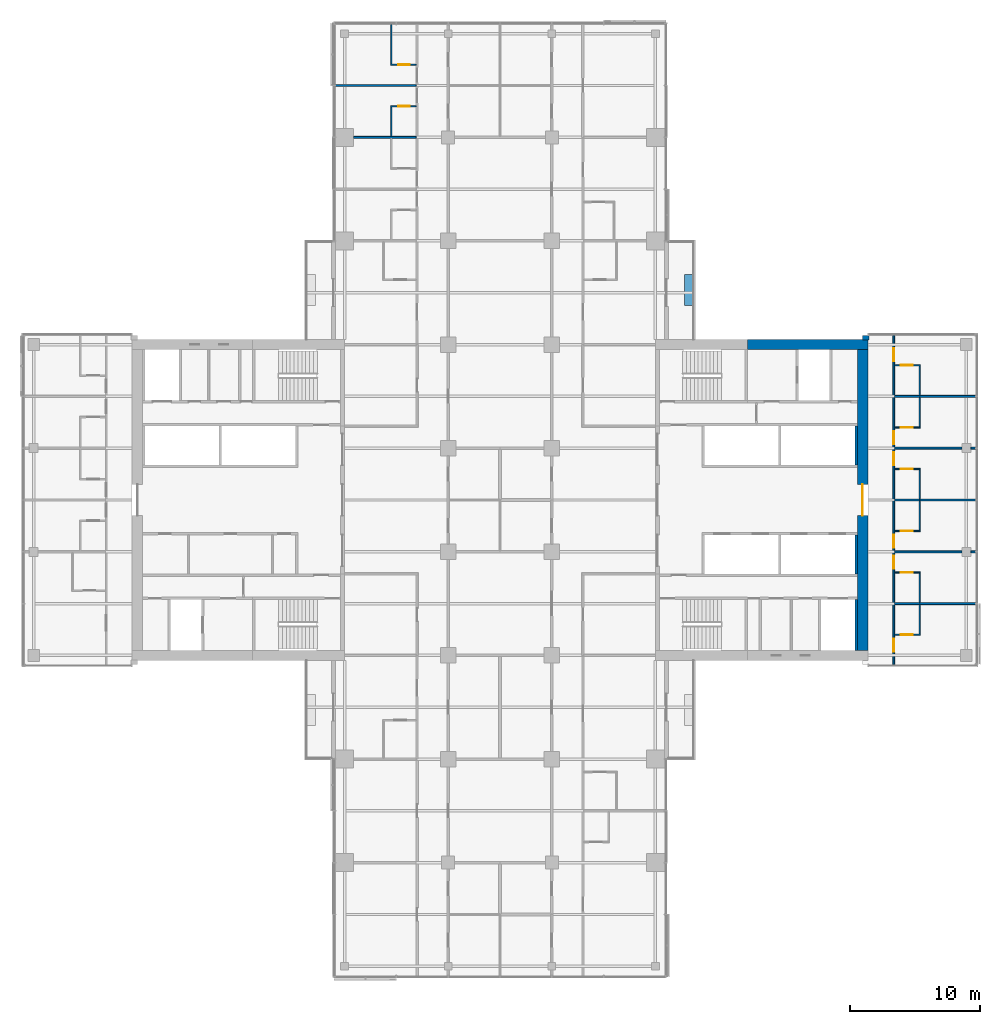
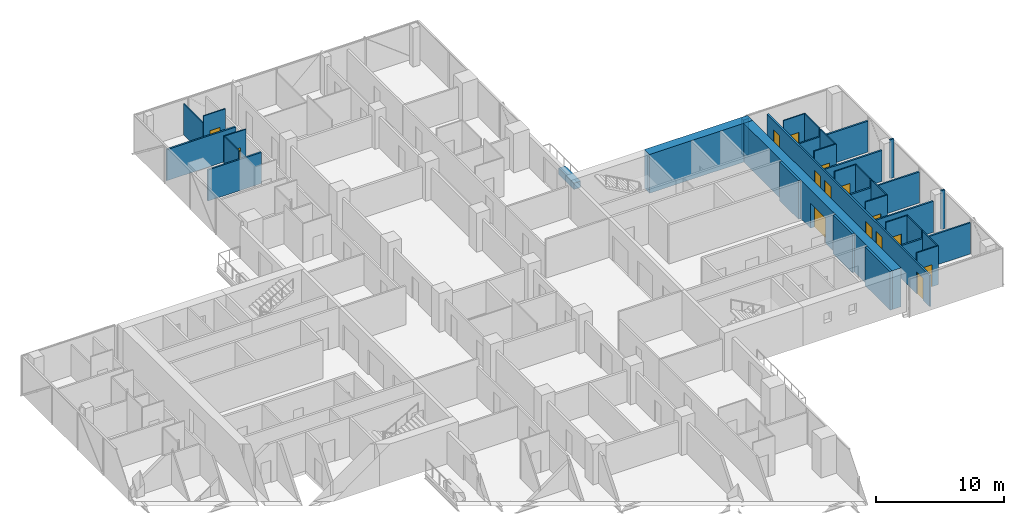
# One storey, part 21 of 27: 33 walls, 15 doors, 15 openings.
"""IFC4 building model written with IfcOpenShell, lengths in metres."""

from ifc_helpers import new_model, si_unit, direction, frame, frame_2d, origin, place, context, subcontext, project, spatial, rectangle, extrude, material, layer, layer_set, constituent, constituent_set, type_object, element, fill, save


model = new_model("IFC4")

# Units and contexts
model_context = context("Model", 3, precision=1e-05, world=origin(), true_north=direction((0.0, 1.0)))
body_context = subcontext(model_context, "Body", "Model", "MODEL_VIEW")
ifc_project = project(units=[si_unit("LENGTHUNIT", "METRE"), si_unit("AREAUNIT", "SQUARE_METRE"), si_unit("VOLUMEUNIT", "CUBIC_METRE"), si_unit("PLANEANGLEUNIT", "RADIAN"), si_unit("MASSUNIT", "GRAM", prefix="KILO")], contexts=[model_context])

# Site, building, storey
site_placement = place(None, origin())
site = spatial("IfcSite", under=ifc_project, at=site_placement, CompositionType="ELEMENT")
building_placement = place(site_placement, origin())
building = spatial("IfcBuilding", under=site, at=building_placement, Name="Crosswind Convention Tower", CompositionType="ELEMENT")
storey_placement = place(building_placement, frame((0.0, 0.0, 90.5)))
storey = spatial("IfcBuildingStorey", under=building, at=storey_placement, Name="L17", CompositionType="ELEMENT", Elevation=90.5)

# Wall, opening, door
ifc_material_1 = material(Name="Concrete C60/75", Category="concrete")
ifc_layer_1 = layer(ifc_material_1, 0.800048828125)
ifc_layer_set_1 = layer_set([ifc_layer_1], Name="Concrete C60/75")
wall_type_1 = type_object("IfcWallType", Name="Concrete core wall 800", PredefinedType="SHEAR", material=ifc_layer_set_1)
wall_1_placement = place(storey_placement, frame((153.0, 88.39990234375, 0.0), z_axis=(0.0, 0.0, 1.0), x_axis=(0.0, 1.0, 0.0)))
wall_1 = element("IfcWall", 1, at=wall_1_placement, inside=storey, type_object=wall_type_1, Name="Wall O E L17", PredefinedType="SHEAR", context=body_context, shape_type="SweptSolid", body=[
    extrude(rectangle(XDim=23.2001953125, YDim=0.800048828125, at=frame_2d((11.60009765625, 0.0))), origin(), (0.0, 0.0, 1.0), 3.699951171875),
])
opening_1_placement = place(wall_1_placement, frame((10.39990234375, 0.0, 0.0)))
opening_1 = element("IfcOpeningElement", 2, at=opening_1_placement, cuts=wall_1, Name="Opening D100", PredefinedType="OPENING", context=body_context, shape_type="SweptSolid", body=[
    extrude(rectangle(XDim=2.39990234375, YDim=2.39990234375, at=frame_2d((1.199951171875, 1.199951171875))), frame((0.0, 0.409912109375, 0.0), z_axis=(0.0, -1.0, 0.0), x_axis=(1.0, 0.0, 0.0)), (0.0, 0.0, 1.0), 0.820068359375),
])
ifc_material_2 = material(Name="Steel fire door with glazed vision panels", Category="steel")
door_type_1 = type_object("IfcDoorType", Name="Fire-rated double door 2400x2400", OperationType="DOUBLE_DOOR_SINGLE_SWING", PredefinedType="DOOR", material=ifc_material_2)
door_1_placement = place(opening_1_placement, origin())
door_1 = element("IfcDoor", 3, at=door_1_placement, inside=storey, type_object=door_type_1, Name="Lobby outer door L17", ObjectType="D100", OperationType="DOUBLE_DOOR_SINGLE_SWING", OverallHeight=2.39990234375, OverallWidth=2.39990234375, PredefinedType="DOOR", context=body_context, shape_type="SweptSolid", body=[
    extrude(rectangle(XDim=2.39990234375, YDim=2.39990234375, at=frame_2d((1.199951171875, 1.199951171875))), frame((0.0, 0.02490234375, 0.0), z_axis=(0.0, -1.0, 0.0), x_axis=(1.0, 0.0, 0.0)), (0.0, 0.0, 1.0), 0.050048828125),
])
fill(opening_1, door_1)

# Walls
ifc_material_3 = material(Name="Concrete C50/60", Category="concrete")
ifc_layer_2 = layer(ifc_material_3, 0.199951171875)
ifc_layer_set_2 = layer_set([ifc_layer_2], Name="Concrete C50/60")
wall_type_2 = type_object("IfcWallType", Name="Concrete shaft and stair wall 200", PredefinedType="SHEAR", material=ifc_layer_set_2)
for number, where, z_axis, x_axis, name in (
    (4, (152.5, 102.699951171875, 0.0), (0.0, 0.0, 1.0), (0.0, 1.0, 0.0), "Wall RPEAST E L17"),
    (5, (152.5, 94.300048828125, 0.0), (0.0, 0.0, 1.0), (0.0, 1.0, 0.0), "Wall RMEAST E L17"),
):
    element("IfcWall", number, at=place(storey_placement, frame(where, z_axis=z_axis, x_axis=x_axis)), inside=storey, type_object=wall_type_2, Name=name, PredefinedType="SHEAR", context=body_context, shape_type="SweptSolid", body=[
        extrude(rectangle(XDim=3.0, YDim=0.199951171875, at=frame_2d((1.5, 0.0))), origin(), (0.0, 0.0, 1.0), 3.699951171875),
    ])
wall_2_placement = place(storey_placement, frame((152.5, 88.39990234375, 0.0), z_axis=(0.0, 0.0, 1.0), x_axis=(0.0, 1.0, 0.0)))
element("IfcWall", 6, at=wall_2_placement, inside=storey, type_object=wall_type_2, Name="Wall MFSE E L17", PredefinedType="SHEAR", context=body_context, shape_type="SweptSolid", body=[
    extrude(rectangle(XDim=3.900146484375, YDim=0.199951171875, at=frame_2d((1.9501953125, 0.0))), origin(), (0.0, 0.0, 1.0), 3.699951171875),
])
ifc_material_4 = material(Name="Acoustic plasterboard partition", Category="gypsum")
ifc_layer_3 = layer(ifc_material_4, 0.14990234375)
ifc_layer_set_3 = layer_set([ifc_layer_3], Name="GUEST ROOM WALL 150")
wall_type_3 = type_object("IfcWallType", Name="GUEST ROOM WALL 150", PredefinedType="PARTITIONING", material=ifc_layer_set_3)
wall_3_placement = place(storey_placement, frame((155.47509765625, 92.0, 0.0), z_axis=(0.0, 0.0, 1.0), x_axis=(1.0, 0.0, 0.0)))
element("IfcWall", 7, at=wall_3_placement, inside=storey, type_object=wall_type_3, Name="Guest Room Wall 16", PredefinedType="PARTITIONING", context=body_context, shape_type="SweptSolid", body=[
    extrude(rectangle(XDim=6.224853515625, YDim=0.14990234375, at=frame_2d((3.1123046875, 0.0))), origin(), (0.0, 0.0, 1.0), 2.962890625),
])
wall_4_placement = place(storey_placement, frame((155.47509765625, 96.0, 0.0), z_axis=(0.0, 0.0, 1.0), x_axis=(1.0, 0.0, 0.0)))
element("IfcWall", 8, at=wall_4_placement, inside=storey, type_object=wall_type_3, Name="Guest Room Wall 24", PredefinedType="PARTITIONING", context=body_context, shape_type="SweptSolid", body=[
    extrude(rectangle(XDim=5.1748046875, YDim=0.14990234375, at=frame_2d((2.58740234375, 0.0))), origin(), (0.0, 0.0, 1.0), 2.956298828125),
])
wall_5_placement = place(storey_placement, frame((161.35009765625, 96.0, 0.0), z_axis=(0.0, 0.0, 1.0), x_axis=(1.0, 0.0, 0.0)))
element("IfcWall", 9, at=wall_5_placement, inside=storey, type_object=wall_type_3, Name="Guest Room Wall 25", PredefinedType="PARTITIONING", context=body_context, shape_type="SweptSolid", body=[
    extrude(rectangle(XDim=0.349853515625, YDim=0.14990234375, at=frame_2d((0.1748046875, 0.0))), origin(), (0.0, 0.0, 1.0), 3.699951171875),
])
wall_6_placement = place(storey_placement, frame((155.47509765625, 100.0, 0.0), z_axis=(0.0, 0.0, 1.0), x_axis=(1.0, 0.0, 0.0)))
element("IfcWall", 10, at=wall_6_placement, inside=storey, type_object=wall_type_3, Name="Guest Room Wall 31", PredefinedType="PARTITIONING", context=body_context, shape_type="SweptSolid", body=[
    extrude(rectangle(XDim=6.224853515625, YDim=0.14990234375, at=frame_2d((3.1123046875, 0.0))), origin(), (0.0, 0.0, 1.0), 2.962890625),
])
wall_7_placement = place(storey_placement, frame((155.47509765625, 104.0, 0.0), z_axis=(0.0, 0.0, 1.0), x_axis=(1.0, 0.0, 0.0)))
element("IfcWall", 11, at=wall_7_placement, inside=storey, type_object=wall_type_3, Name="Guest Room Wall 38", PredefinedType="PARTITIONING", context=body_context, shape_type="SweptSolid", body=[
    extrude(rectangle(XDim=5.1748046875, YDim=0.14990234375, at=frame_2d((2.58740234375, 0.0))), origin(), (0.0, 0.0, 1.0), 2.956298828125),
])
wall_8_placement = place(storey_placement, frame((161.35009765625, 104.0, 0.0), z_axis=(0.0, 0.0, 1.0), x_axis=(1.0, 0.0, 0.0)))
element("IfcWall", 12, at=wall_8_placement, inside=storey, type_object=wall_type_3, Name="Guest Room Wall 39", PredefinedType="PARTITIONING", context=body_context, shape_type="SweptSolid", body=[
    extrude(rectangle(XDim=0.349853515625, YDim=0.14990234375, at=frame_2d((0.1748046875, 0.0))), origin(), (0.0, 0.0, 1.0), 3.699951171875),
])
wall_9_placement = place(storey_placement, frame((155.47509765625, 108.0, 0.0), z_axis=(0.0, 0.0, 1.0), x_axis=(1.0, 0.0, 0.0)))
element("IfcWall", 13, at=wall_9_placement, inside=storey, type_object=wall_type_3, Name="Guest Room Wall 45", PredefinedType="PARTITIONING", context=body_context, shape_type="SweptSolid", body=[
    extrude(rectangle(XDim=6.224853515625, YDim=0.14990234375, at=frame_2d((3.1123046875, 0.0))), origin(), (0.0, 0.0, 1.0), 2.962890625),
])
wall_10_placement = place(storey_placement, frame((113.699951171875, 128.0, 0.0), z_axis=(0.0, 0.0, 1.0), x_axis=(1.0, 0.0, 0.0)))
element("IfcWall", 14, at=wall_10_placement, inside=storey, type_object=wall_type_3, Name="Guest Room Wall 59", PredefinedType="PARTITIONING", context=body_context, shape_type="SweptSolid", body=[
    extrude(rectangle(XDim=4.824951171875, YDim=0.14990234375, at=frame_2d((2.41259765625, 0.0))), origin(), (0.0, 0.0, 1.0), 2.959716796875),
])
wall_11_placement = place(storey_placement, frame((112.300048828125, 132.0, 0.0), z_axis=(0.0, 0.0, 1.0), x_axis=(1.0, 0.0, 0.0)))
element("IfcWall", 15, at=wall_11_placement, inside=storey, type_object=wall_type_3, Name="Guest Room Wall 63", PredefinedType="PARTITIONING", context=body_context, shape_type="SweptSolid", body=[
    extrude(rectangle(XDim=6.224853515625, YDim=0.14990234375, at=frame_2d((3.1123046875, 0.0))), origin(), (0.0, 0.0, 1.0), 2.962890625),
])

# Wall, openings, doors
wall_12_placement = place(storey_placement, frame((155.39990234375, 87.300048828125, 0.0), z_axis=(0.0, 0.0, 1.0), x_axis=(0.0, 1.0, 0.0)))
wall_12 = element("IfcWall", 16, at=wall_12_placement, inside=storey, type_object=wall_type_3, Name="Guest Room Wall 123", PredefinedType="PARTITIONING", context=body_context, shape_type="SweptSolid", body=[
    extrude(rectangle(XDim=25.39990234375, YDim=0.14990234375, at=frame_2d((12.699951171875, 0.0))), origin(), (0.0, 0.0, 1.0), 2.956298828125),
])
opening_2_placement = place(wall_12_placement, frame((1.0, 0.0, 0.0)))
opening_2 = element("IfcOpeningElement", 17, at=opening_2_placement, cuts=wall_12, Name="Opening 17.028", PredefinedType="OPENING", context=body_context, shape_type="SweptSolid", body=[
    extrude(rectangle(XDim=1.0, YDim=2.10009765625, at=frame_2d((0.5, 1.050048828125))), frame((0.0, 0.0849609375, 0.0), z_axis=(0.0, -1.0, 0.0), x_axis=(1.0, 0.0, 0.0)), (0.0, 0.0, 1.0), 0.169921875),
])
opening_3_placement = place(wall_12_placement, frame((7.39990234375, 0.0, 0.0)))
opening_3 = element("IfcOpeningElement", 18, at=opening_3_placement, cuts=wall_12, Name="Opening 17.030", PredefinedType="OPENING", context=body_context, shape_type="SweptSolid", body=[
    extrude(rectangle(XDim=1.0, YDim=2.10009765625, at=frame_2d((0.5, 1.050048828125))), frame((0.0, 0.0849609375, 0.0), z_axis=(0.0, -1.0, 0.0), x_axis=(1.0, 0.0, 0.0)), (0.0, 0.0, 1.0), 0.169921875),
])
opening_4_placement = place(wall_12_placement, frame((9.0, 0.0, 0.0)))
opening_4 = element("IfcOpeningElement", 19, at=opening_4_placement, cuts=wall_12, Name="Opening 17.032", PredefinedType="OPENING", context=body_context, shape_type="SweptSolid", body=[
    extrude(rectangle(XDim=1.0, YDim=2.10009765625, at=frame_2d((0.5, 1.050048828125))), frame((0.0, 0.0849609375, 0.0), z_axis=(0.0, -1.0, 0.0), x_axis=(1.0, 0.0, 0.0)), (0.0, 0.0, 1.0), 0.169921875),
])
opening_5_placement = place(wall_12_placement, frame((15.39990234375, 0.0, 0.0)))
opening_5 = element("IfcOpeningElement", 20, at=opening_5_placement, cuts=wall_12, Name="Opening 17.034", PredefinedType="OPENING", context=body_context, shape_type="SweptSolid", body=[
    extrude(rectangle(XDim=1.0, YDim=2.10009765625, at=frame_2d((0.5, 1.050048828125))), frame((0.0, 0.0849609375, 0.0), z_axis=(0.0, -1.0, 0.0), x_axis=(1.0, 0.0, 0.0)), (0.0, 0.0, 1.0), 0.169921875),
])
opening_6_placement = place(wall_12_placement, frame((17.0, 0.0, 0.0)))
opening_6 = element("IfcOpeningElement", 21, at=opening_6_placement, cuts=wall_12, Name="Opening 17.036", PredefinedType="OPENING", context=body_context, shape_type="SweptSolid", body=[
    extrude(rectangle(XDim=1.0, YDim=2.10009765625, at=frame_2d((0.5, 1.050048828125))), frame((0.0, 0.0849609375, 0.0), z_axis=(0.0, -1.0, 0.0), x_axis=(1.0, 0.0, 0.0)), (0.0, 0.0, 1.0), 0.169921875),
])
opening_7_placement = place(wall_12_placement, frame((23.39990234375, 0.0, 0.0)))
opening_7 = element("IfcOpeningElement", 22, at=opening_7_placement, cuts=wall_12, Name="Opening 17.038", PredefinedType="OPENING", context=body_context, shape_type="SweptSolid", body=[
    extrude(rectangle(XDim=1.0, YDim=2.10009765625, at=frame_2d((0.5, 1.050048828125))), frame((0.0, 0.0849609375, 0.0), z_axis=(0.0, -1.0, 0.0), x_axis=(1.0, 0.0, 0.0)), (0.0, 0.0, 1.0), 0.169921875),
])
ifc_material_5 = material(Name="Timber fire door", Category="wood")
door_type_2 = type_object("IfcDoorType", Name="GUEST ROOM DOOR 1000X2100", OperationType="NOTDEFINED", PredefinedType="DOOR", material=ifc_material_5)
door_2_placement = place(opening_2_placement, frame((1.0, 0.0, 0.0), z_axis=(0.0, 0.0, 1.0), x_axis=(-1.0, 0.0, 0.0)))
door_2 = element("IfcDoor", 23, at=door_2_placement, inside=storey, type_object=door_type_2, Name="Door 17.028", ObjectType="D1", OperationType="SINGLE_SWING_LEFT", OverallHeight=2.10009765625, OverallWidth=1.0, PredefinedType="DOOR", context=body_context, shape_type="SweptSolid", body=[
    extrude(rectangle(XDim=1.0, YDim=2.10009765625, at=frame_2d((0.5, 1.050048828125))), frame((0.0, 0.02490234375, 0.0), z_axis=(0.0, -1.0, 0.0), x_axis=(1.0, 0.0, 0.0)), (0.0, 0.0, 1.0), 0.050048828125),
])
fill(opening_2, door_2)
door_3_placement = place(opening_3_placement, frame((1.0, 0.0, 0.0), z_axis=(0.0, 0.0, 1.0), x_axis=(-1.0, 0.0, 0.0)))
door_3 = element("IfcDoor", 24, at=door_3_placement, inside=storey, type_object=door_type_2, Name="Door 17.030", ObjectType="D1", OperationType="SINGLE_SWING_LEFT", OverallHeight=2.10009765625, OverallWidth=1.0, PredefinedType="DOOR", context=body_context, shape_type="SweptSolid", body=[
    extrude(rectangle(XDim=1.0, YDim=2.10009765625, at=frame_2d((0.5, 1.050048828125))), frame((0.0, 0.02490234375, 0.0), z_axis=(0.0, -1.0, 0.0), x_axis=(1.0, 0.0, 0.0)), (0.0, 0.0, 1.0), 0.050048828125),
])
fill(opening_3, door_3)
door_4_placement = place(opening_4_placement, frame((1.0, 0.0, 0.0), z_axis=(0.0, 0.0, 1.0), x_axis=(-1.0, 0.0, 0.0)))
door_4 = element("IfcDoor", 25, at=door_4_placement, inside=storey, type_object=door_type_2, Name="Door 17.032", ObjectType="D1", OperationType="SINGLE_SWING_LEFT", OverallHeight=2.10009765625, OverallWidth=1.0, PredefinedType="DOOR", context=body_context, shape_type="SweptSolid", body=[
    extrude(rectangle(XDim=1.0, YDim=2.10009765625, at=frame_2d((0.5, 1.050048828125))), frame((0.0, 0.02490234375, 0.0), z_axis=(0.0, -1.0, 0.0), x_axis=(1.0, 0.0, 0.0)), (0.0, 0.0, 1.0), 0.050048828125),
])
fill(opening_4, door_4)
door_5_placement = place(opening_5_placement, frame((1.0, 0.0, 0.0), z_axis=(0.0, 0.0, 1.0), x_axis=(-1.0, 0.0, 0.0)))
door_5 = element("IfcDoor", 26, at=door_5_placement, inside=storey, type_object=door_type_2, Name="Door 17.034", ObjectType="D1", OperationType="SINGLE_SWING_LEFT", OverallHeight=2.10009765625, OverallWidth=1.0, PredefinedType="DOOR", context=body_context, shape_type="SweptSolid", body=[
    extrude(rectangle(XDim=1.0, YDim=2.10009765625, at=frame_2d((0.5, 1.050048828125))), frame((0.0, 0.02490234375, 0.0), z_axis=(0.0, -1.0, 0.0), x_axis=(1.0, 0.0, 0.0)), (0.0, 0.0, 1.0), 0.050048828125),
])
fill(opening_5, door_5)
door_6_placement = place(opening_6_placement, frame((1.0, 0.0, 0.0), z_axis=(0.0, 0.0, 1.0), x_axis=(-1.0, 0.0, 0.0)))
door_6 = element("IfcDoor", 27, at=door_6_placement, inside=storey, type_object=door_type_2, Name="Door 17.036", ObjectType="D1", OperationType="SINGLE_SWING_LEFT", OverallHeight=2.10009765625, OverallWidth=1.0, PredefinedType="DOOR", context=body_context, shape_type="SweptSolid", body=[
    extrude(rectangle(XDim=1.0, YDim=2.10009765625, at=frame_2d((0.5, 1.050048828125))), frame((0.0, 0.02490234375, 0.0), z_axis=(0.0, -1.0, 0.0), x_axis=(1.0, 0.0, 0.0)), (0.0, 0.0, 1.0), 0.050048828125),
])
fill(opening_6, door_6)
door_7_placement = place(opening_7_placement, frame((1.0, 0.0, 0.0), z_axis=(0.0, 0.0, 1.0), x_axis=(-1.0, 0.0, 0.0)))
door_7 = element("IfcDoor", 28, at=door_7_placement, inside=storey, type_object=door_type_2, Name="Door 17.038", ObjectType="D1", OperationType="SINGLE_SWING_RIGHT", OverallHeight=2.10009765625, OverallWidth=1.0, PredefinedType="DOOR", context=body_context, shape_type="SweptSolid", body=[
    extrude(rectangle(XDim=1.0, YDim=2.10009765625, at=frame_2d((0.5, 1.050048828125))), frame((0.0, 0.02490234375, 0.0), z_axis=(0.0, -1.0, 0.0), x_axis=(1.0, 0.0, 0.0)), (0.0, 0.0, 1.0), 0.050048828125),
])
fill(opening_7, door_7)

# Walls
ifc_material_6 = material(Name="Concrete C30/37", Category="concrete")
ifc_layer_4 = layer(ifc_material_6, 0.60009765625)
ifc_layer_set_4 = layer_set([ifc_layer_4], Name="Concrete C30/37")
wall_type_4 = type_object("IfcWallType", Name="PLANTER BOX WALL 600", PredefinedType="SOLIDWALL", material=ifc_layer_set_4)
wall_13_placement = place(storey_placement, frame((139.550048828125, 115.0, 0.0), z_axis=(0.0, 0.0, 1.0), x_axis=(0.0, 1.0, 0.0)))
element("IfcWall", 29, at=wall_13_placement, inside=storey, type_object=wall_type_4, Name="PLANTER L17 N-E.1-1", PredefinedType="SOLIDWALL", context=body_context, shape_type="SweptSolid", body=[
    extrude(rectangle(XDim=2.39990234375, YDim=0.60009765625, at=frame_2d((1.199951171875, 0.0))), origin(), (0.0, 0.0, 1.0), 0.60009765625),
])
ifc_material_7 = material(Name="Terracotta rainscreen", Category="ceramic")
ifc_layer_5 = layer(ifc_material_7, 0.02001953125)
ifc_material_8 = material(Name="Mineral wool insulation", Category="insulation")
ifc_layer_6 = layer(ifc_material_8, 0.10009765625)
ifc_material_9 = material(Name="Concrete blockwork", Category="masonry")
ifc_layer_7 = layer(ifc_material_9, 0.236083984375)
ifc_layer_set_5 = layer_set([ifc_layer_5, ifc_layer_6, ifc_layer_7], Name="TERRACOTTA CORNER INFILL WALL 356")
wall_type_5 = type_object("IfcWallType", Name="TERRACOTTA CORNER INFILL WALL 356", PredefinedType="SOLIDWALL", material=ifc_layer_set_5)
wall_14_placement = place(storey_placement, frame((153.0, 112.52197265625, 0.0), z_axis=(0.0, 0.0, 1.0), x_axis=(1.0, 0.0, 0.0)))
element("IfcWall", 30, at=wall_14_placement, inside=storey, type_object=wall_type_5, Name="Core corner infill wall L17 1", PredefinedType="SOLIDWALL", context=body_context, shape_type="SweptSolid", body=[
    extrude(rectangle(XDim=0.5048828125, YDim=0.35595703125, at=frame_2d((0.25244140625, 0.0))), origin(), (0.0, 0.0, 1.0), 3.419921875),
])
ifc_constituent_1 = constituent(ifc_material_1, Name="Structure")
ifc_constituent_2 = constituent(ifc_material_7, Name="Facing")
ifc_constituent_set = constituent_set(constituents=[ifc_constituent_1, ifc_constituent_2], Name="Concrete C60/75, Terracotta rainscreen")
wall_type_6 = type_object("IfcWallType", Name="Terracotta rainscreen on concrete core wall 800", PredefinedType="SHEAR", material=ifc_constituent_set)
wall_15_placement = place(storey_placement, frame((144.10009765625, 112.0, 0.0), z_axis=(0.0, 0.0, 1.0), x_axis=(1.0, 0.0, 0.0)))
element("IfcWall", 31, at=wall_15_placement, inside=storey, type_object=wall_type_6, Name="Wall N2 E L17", PredefinedType="SHEAR", context=body_context, shape_type="SweptSolid", body=[
    extrude(rectangle(XDim=9.2998046875, YDim=0.800048828125, at=frame_2d((4.64990234375, 0.0))), origin(), (0.0, 0.0, 1.0), 3.699951171875),
])

# Wall, opening, door
ifc_material_10 = material(Name="Water-resistant plasterboard partition", Category="gypsum")
ifc_layer_8 = layer(ifc_material_10, 0.10009765625)
ifc_layer_set_6 = layer_set([ifc_layer_8], Name="WET ROOM PARTITION 100")
wall_type_7 = type_object("IfcWallType", Name="WET ROOM PARTITION 100", PredefinedType="PLUMBINGWALL", material=ifc_layer_set_6)
wall_16_placement = place(storey_placement, frame((155.47509765625, 89.60009765625, 0.0), z_axis=(0.0, 0.0, 1.0), x_axis=(1.0, 0.0, 0.0)))
wall_16 = element("IfcWall", 32, at=wall_16_placement, inside=storey, type_object=wall_type_7, Name="Wet Room Partition 15", PredefinedType="PLUMBINGWALL", context=body_context, shape_type="SweptSolid", body=[
    extrude(rectangle(XDim=1.974853515625, YDim=0.10009765625, at=frame_2d((0.9873046875, 0.0))), origin(), (0.0, 0.0, 1.0), 3.699951171875),
])
opening_8_placement = place(wall_16_placement, frame((0.47509765625, 0.0, 0.0)))
opening_8 = element("IfcOpeningElement", 33, at=opening_8_placement, cuts=wall_16, Name="Opening 17.029", PredefinedType="OPENING", context=body_context, shape_type="SweptSolid", body=[
    extrude(rectangle(XDim=0.89990234375, YDim=2.10009765625, at=frame_2d((0.449951171875, 1.050048828125))), frame((0.0, 0.06005859375, 0.0), z_axis=(0.0, -1.0, 0.0), x_axis=(1.0, 0.0, 0.0)), (0.0, 0.0, 1.0), 0.1201171875),
])
ifc_material_11 = material(Name="Timber door", Category="wood")
door_type_3 = type_object("IfcDoorType", Name="EN-SUITE DOOR 900X2100", OperationType="NOTDEFINED", PredefinedType="DOOR", material=ifc_material_11)
door_8_placement = place(opening_8_placement, origin())
door_8 = element("IfcDoor", 34, at=door_8_placement, inside=storey, type_object=door_type_3, Name="Door 17.029", ObjectType="D2", OperationType="SINGLE_SWING_RIGHT", OverallHeight=2.10009765625, OverallWidth=0.89990234375, PredefinedType="DOOR", context=body_context, shape_type="SweptSolid", body=[
    extrude(rectangle(XDim=0.89990234375, YDim=2.10009765625, at=frame_2d((0.449951171875, 1.050048828125))), frame((0.0, 0.02490234375, 0.0), z_axis=(0.0, -1.0, 0.0), x_axis=(1.0, 0.0, 0.0)), (0.0, 0.0, 1.0), 0.050048828125),
])
fill(opening_8, door_8)

wall_17_placement = place(storey_placement, frame((155.47509765625, 94.39990234375, 0.0), z_axis=(0.0, 0.0, 1.0), x_axis=(1.0, 0.0, 0.0)))
wall_17 = element("IfcWall", 35, at=wall_17_placement, inside=storey, type_object=wall_type_7, Name="Wet Room Partition 20", PredefinedType="PLUMBINGWALL", context=body_context, shape_type="SweptSolid", body=[
    extrude(rectangle(XDim=1.974853515625, YDim=0.10009765625, at=frame_2d((0.9873046875, 0.0))), origin(), (0.0, 0.0, 1.0), 3.699951171875),
])
opening_9_placement = place(wall_17_placement, frame((0.47509765625, 0.0, 0.0)))
opening_9 = element("IfcOpeningElement", 36, at=opening_9_placement, cuts=wall_17, Name="Opening 17.031", PredefinedType="OPENING", context=body_context, shape_type="SweptSolid", body=[
    extrude(rectangle(XDim=0.89990234375, YDim=2.10009765625, at=frame_2d((0.449951171875, 1.050048828125))), frame((0.0, 0.06005859375, 0.0), z_axis=(0.0, -1.0, 0.0), x_axis=(1.0, 0.0, 0.0)), (0.0, 0.0, 1.0), 0.1201171875),
])
door_9_placement = place(opening_9_placement, frame((0.89990234375, 0.0, 0.0), z_axis=(0.0, 0.0, 1.0), x_axis=(-1.0, 0.0, 0.0)))
door_9 = element("IfcDoor", 37, at=door_9_placement, inside=storey, type_object=door_type_3, Name="Door 17.031", ObjectType="D2", OperationType="SINGLE_SWING_LEFT", OverallHeight=2.10009765625, OverallWidth=0.89990234375, PredefinedType="DOOR", context=body_context, shape_type="SweptSolid", body=[
    extrude(rectangle(XDim=0.89990234375, YDim=2.10009765625, at=frame_2d((0.449951171875, 1.050048828125))), frame((0.0, 0.02490234375, 0.0), z_axis=(0.0, -1.0, 0.0), x_axis=(1.0, 0.0, 0.0)), (0.0, 0.0, 1.0), 0.050048828125),
])
fill(opening_9, door_9)

wall_18_placement = place(storey_placement, frame((155.47509765625, 97.60009765625, 0.0), z_axis=(0.0, 0.0, 1.0), x_axis=(1.0, 0.0, 0.0)))
wall_18 = element("IfcWall", 38, at=wall_18_placement, inside=storey, type_object=wall_type_7, Name="Wet Room Partition 26", PredefinedType="PLUMBINGWALL", context=body_context, shape_type="SweptSolid", body=[
    extrude(rectangle(XDim=1.974853515625, YDim=0.10009765625, at=frame_2d((0.9873046875, 0.0))), origin(), (0.0, 0.0, 1.0), 3.699951171875),
])
opening_10_placement = place(wall_18_placement, frame((0.47509765625, 0.0, 0.0)))
opening_10 = element("IfcOpeningElement", 39, at=opening_10_placement, cuts=wall_18, Name="Opening 17.033", PredefinedType="OPENING", context=body_context, shape_type="SweptSolid", body=[
    extrude(rectangle(XDim=0.89990234375, YDim=2.10009765625, at=frame_2d((0.449951171875, 1.050048828125))), frame((0.0, 0.06005859375, 0.0), z_axis=(0.0, -1.0, 0.0), x_axis=(1.0, 0.0, 0.0)), (0.0, 0.0, 1.0), 0.1201171875),
])
door_10_placement = place(opening_10_placement, origin())
door_10 = element("IfcDoor", 40, at=door_10_placement, inside=storey, type_object=door_type_3, Name="Door 17.033", ObjectType="D2", OperationType="SINGLE_SWING_RIGHT", OverallHeight=2.10009765625, OverallWidth=0.89990234375, PredefinedType="DOOR", context=body_context, shape_type="SweptSolid", body=[
    extrude(rectangle(XDim=0.89990234375, YDim=2.10009765625, at=frame_2d((0.449951171875, 1.050048828125))), frame((0.0, 0.02490234375, 0.0), z_axis=(0.0, -1.0, 0.0), x_axis=(1.0, 0.0, 0.0)), (0.0, 0.0, 1.0), 0.050048828125),
])
fill(opening_10, door_10)

wall_19_placement = place(storey_placement, frame((155.47509765625, 102.39990234375, 0.0), z_axis=(0.0, 0.0, 1.0), x_axis=(1.0, 0.0, 0.0)))
wall_19 = element("IfcWall", 41, at=wall_19_placement, inside=storey, type_object=wall_type_7, Name="Wet Room Partition 33", PredefinedType="PLUMBINGWALL", context=body_context, shape_type="SweptSolid", body=[
    extrude(rectangle(XDim=1.974853515625, YDim=0.10009765625, at=frame_2d((0.9873046875, 0.0))), origin(), (0.0, 0.0, 1.0), 3.699951171875),
])
opening_11_placement = place(wall_19_placement, frame((0.47509765625, 0.0, 0.0)))
opening_11 = element("IfcOpeningElement", 42, at=opening_11_placement, cuts=wall_19, Name="Opening 17.035", PredefinedType="OPENING", context=body_context, shape_type="SweptSolid", body=[
    extrude(rectangle(XDim=0.89990234375, YDim=2.10009765625, at=frame_2d((0.449951171875, 1.050048828125))), frame((0.0, 0.06005859375, 0.0), z_axis=(0.0, -1.0, 0.0), x_axis=(1.0, 0.0, 0.0)), (0.0, 0.0, 1.0), 0.1201171875),
])
door_11_placement = place(opening_11_placement, frame((0.89990234375, 0.0, 0.0), z_axis=(0.0, 0.0, 1.0), x_axis=(-1.0, 0.0, 0.0)))
door_11 = element("IfcDoor", 43, at=door_11_placement, inside=storey, type_object=door_type_3, Name="Door 17.035", ObjectType="D2", OperationType="SINGLE_SWING_LEFT", OverallHeight=2.10009765625, OverallWidth=0.89990234375, PredefinedType="DOOR", context=body_context, shape_type="SweptSolid", body=[
    extrude(rectangle(XDim=0.89990234375, YDim=2.10009765625, at=frame_2d((0.449951171875, 1.050048828125))), frame((0.0, 0.02490234375, 0.0), z_axis=(0.0, -1.0, 0.0), x_axis=(1.0, 0.0, 0.0)), (0.0, 0.0, 1.0), 0.050048828125),
])
fill(opening_11, door_11)

wall_20_placement = place(storey_placement, frame((155.47509765625, 105.60009765625, 0.0), z_axis=(0.0, 0.0, 1.0), x_axis=(1.0, 0.0, 0.0)))
wall_20 = element("IfcWall", 44, at=wall_20_placement, inside=storey, type_object=wall_type_7, Name="Wet Room Partition 40", PredefinedType="PLUMBINGWALL", context=body_context, shape_type="SweptSolid", body=[
    extrude(rectangle(XDim=1.974853515625, YDim=0.10009765625, at=frame_2d((0.9873046875, 0.0))), origin(), (0.0, 0.0, 1.0), 3.699951171875),
])
opening_12_placement = place(wall_20_placement, frame((0.47509765625, 0.0, 0.0)))
opening_12 = element("IfcOpeningElement", 45, at=opening_12_placement, cuts=wall_20, Name="Opening 17.037", PredefinedType="OPENING", context=body_context, shape_type="SweptSolid", body=[
    extrude(rectangle(XDim=0.89990234375, YDim=2.10009765625, at=frame_2d((0.449951171875, 1.050048828125))), frame((0.0, 0.06005859375, 0.0), z_axis=(0.0, -1.0, 0.0), x_axis=(1.0, 0.0, 0.0)), (0.0, 0.0, 1.0), 0.1201171875),
])
door_12_placement = place(opening_12_placement, origin())
door_12 = element("IfcDoor", 46, at=door_12_placement, inside=storey, type_object=door_type_3, Name="Door 17.037", ObjectType="D2", OperationType="SINGLE_SWING_RIGHT", OverallHeight=2.10009765625, OverallWidth=0.89990234375, PredefinedType="DOOR", context=body_context, shape_type="SweptSolid", body=[
    extrude(rectangle(XDim=0.89990234375, YDim=2.10009765625, at=frame_2d((0.449951171875, 1.050048828125))), frame((0.0, 0.02490234375, 0.0), z_axis=(0.0, -1.0, 0.0), x_axis=(1.0, 0.0, 0.0)), (0.0, 0.0, 1.0), 0.050048828125),
])
fill(opening_12, door_12)

wall_21_placement = place(storey_placement, frame((155.47509765625, 110.39990234375, 0.0), z_axis=(0.0, 0.0, 1.0), x_axis=(1.0, 0.0, 0.0)))
wall_21 = element("IfcWall", 47, at=wall_21_placement, inside=storey, type_object=wall_type_7, Name="Wet Room Partition 47", PredefinedType="PLUMBINGWALL", context=body_context, shape_type="SweptSolid", body=[
    extrude(rectangle(XDim=1.974853515625, YDim=0.10009765625, at=frame_2d((0.9873046875, 0.0))), origin(), (0.0, 0.0, 1.0), 3.699951171875),
])
opening_13_placement = place(wall_21_placement, frame((0.47509765625, 0.0, 0.0)))
opening_13 = element("IfcOpeningElement", 48, at=opening_13_placement, cuts=wall_21, Name="Opening 17.039", PredefinedType="OPENING", context=body_context, shape_type="SweptSolid", body=[
    extrude(rectangle(XDim=0.89990234375, YDim=2.10009765625, at=frame_2d((0.449951171875, 1.050048828125))), frame((0.0, 0.06005859375, 0.0), z_axis=(0.0, -1.0, 0.0), x_axis=(1.0, 0.0, 0.0)), (0.0, 0.0, 1.0), 0.1201171875),
])
door_13_placement = place(opening_13_placement, frame((0.89990234375, 0.0, 0.0), z_axis=(0.0, 0.0, 1.0), x_axis=(-1.0, 0.0, 0.0)))
door_13 = element("IfcDoor", 49, at=door_13_placement, inside=storey, type_object=door_type_3, Name="Door 17.039", ObjectType="D2", OperationType="SINGLE_SWING_LEFT", OverallHeight=2.10009765625, OverallWidth=0.89990234375, PredefinedType="DOOR", context=body_context, shape_type="SweptSolid", body=[
    extrude(rectangle(XDim=0.89990234375, YDim=2.10009765625, at=frame_2d((0.449951171875, 1.050048828125))), frame((0.0, 0.02490234375, 0.0), z_axis=(0.0, -1.0, 0.0), x_axis=(1.0, 0.0, 0.0)), (0.0, 0.0, 1.0), 0.050048828125),
])
fill(opening_13, door_13)

wall_22_placement = place(storey_placement, frame((116.550048828125, 130.39990234375, 0.0), z_axis=(0.0, 0.0, 1.0), x_axis=(1.0, 0.0, 0.0)))
wall_22 = element("IfcWall", 50, at=wall_22_placement, inside=storey, type_object=wall_type_7, Name="Wet Room Partition 62", PredefinedType="PLUMBINGWALL", context=body_context, shape_type="SweptSolid", body=[
    extrude(rectangle(XDim=1.974853515625, YDim=0.10009765625, at=frame_2d((0.9873046875, 0.0))), origin(), (0.0, 0.0, 1.0), 3.699951171875),
])
opening_14_placement = place(wall_22_placement, frame((0.60009765625, 0.0, 0.0)))
opening_14 = element("IfcOpeningElement", 51, at=opening_14_placement, cuts=wall_22, Name="Opening 17.017", PredefinedType="OPENING", context=body_context, shape_type="SweptSolid", body=[
    extrude(rectangle(XDim=0.89990234375, YDim=2.10009765625, at=frame_2d((0.449951171875, 1.050048828125))), frame((0.0, 0.06005859375, 0.0), z_axis=(0.0, -1.0, 0.0), x_axis=(1.0, 0.0, 0.0)), (0.0, 0.0, 1.0), 0.1201171875),
])
door_14_placement = place(opening_14_placement, frame((0.89990234375, 0.0, 0.0), z_axis=(0.0, 0.0, 1.0), x_axis=(-1.0, 0.0, 0.0)))
door_14 = element("IfcDoor", 52, at=door_14_placement, inside=storey, type_object=door_type_3, Name="Door 17.017", ObjectType="D2", OperationType="SINGLE_SWING_LEFT", OverallHeight=2.10009765625, OverallWidth=0.89990234375, PredefinedType="DOOR", context=body_context, shape_type="SweptSolid", body=[
    extrude(rectangle(XDim=0.89990234375, YDim=2.10009765625, at=frame_2d((0.449951171875, 1.050048828125))), frame((0.0, 0.02490234375, 0.0), z_axis=(0.0, -1.0, 0.0), x_axis=(1.0, 0.0, 0.0)), (0.0, 0.0, 1.0), 0.050048828125),
])
fill(opening_14, door_14)

wall_23_placement = place(storey_placement, frame((116.550048828125, 133.60009765625, 0.0), z_axis=(0.0, 0.0, 1.0), x_axis=(1.0, 0.0, 0.0)))
wall_23 = element("IfcWall", 53, at=wall_23_placement, inside=storey, type_object=wall_type_7, Name="Wet Room Partition 65", PredefinedType="PLUMBINGWALL", context=body_context, shape_type="SweptSolid", body=[
    extrude(rectangle(XDim=1.974853515625, YDim=0.10009765625, at=frame_2d((0.9873046875, 0.0))), origin(), (0.0, 0.0, 1.0), 3.699951171875),
])
opening_15_placement = place(wall_23_placement, frame((0.60009765625, 0.0, 0.0)))
opening_15 = element("IfcOpeningElement", 54, at=opening_15_placement, cuts=wall_23, Name="Opening 17.019", PredefinedType="OPENING", context=body_context, shape_type="SweptSolid", body=[
    extrude(rectangle(XDim=0.89990234375, YDim=2.10009765625, at=frame_2d((0.449951171875, 1.050048828125))), frame((0.0, 0.06005859375, 0.0), z_axis=(0.0, -1.0, 0.0), x_axis=(1.0, 0.0, 0.0)), (0.0, 0.0, 1.0), 0.1201171875),
])
door_15_placement = place(opening_15_placement, origin())
door_15 = element("IfcDoor", 55, at=door_15_placement, inside=storey, type_object=door_type_3, Name="Door 17.019", ObjectType="D2", OperationType="SINGLE_SWING_RIGHT", OverallHeight=2.10009765625, OverallWidth=0.89990234375, PredefinedType="DOOR", context=body_context, shape_type="SweptSolid", body=[
    extrude(rectangle(XDim=0.89990234375, YDim=2.10009765625, at=frame_2d((0.449951171875, 1.050048828125))), frame((0.0, 0.02490234375, 0.0), z_axis=(0.0, -1.0, 0.0), x_axis=(1.0, 0.0, 0.0)), (0.0, 0.0, 1.0), 0.050048828125),
])
fill(opening_15, door_15)

# Walls
wall_24_placement = place(storey_placement, frame((116.60009765625, 128.074951171875, 0.0), z_axis=(0.0, 0.0, 1.0), x_axis=(0.0, 1.0, 0.0)))
element("IfcWall", 56, at=wall_24_placement, inside=storey, type_object=wall_type_7, Name="Wet Room Partition 76", PredefinedType="PLUMBINGWALL", context=body_context, shape_type="SweptSolid", body=[
    extrude(rectangle(XDim=2.275146484375, YDim=0.10009765625, at=frame_2d((1.1376953125, 0.0))), origin(), (0.0, 0.0, 1.0), 3.699951171875),
])
wall_25_placement = place(storey_placement, frame((116.60009765625, 133.64990234375, 0.0), z_axis=(0.0, 0.0, 1.0), x_axis=(0.0, 1.0, 0.0)))
element("IfcWall", 57, at=wall_25_placement, inside=storey, type_object=wall_type_7, Name="Wet Room Partition 77", PredefinedType="PLUMBINGWALL", context=body_context, shape_type="SweptSolid", body=[
    extrude(rectangle(XDim=3.050048828125, YDim=0.10009765625, at=frame_2d((1.52490234375, 0.0))), origin(), (0.0, 0.0, 1.0), 2.962890625),
])
for number, where, z_axis, x_axis, name in (
    (58, (157.39990234375, 89.64990234375, 0.0), (0.0, 0.0, 1.0), (0.0, 1.0, 0.0), "Wet Room Partition 124"),
    (59, (157.39990234375, 92.074951171875, 0.0), (0.0, 0.0, 1.0), (0.0, 1.0, 0.0), "Wet Room Partition 125"),
    (60, (157.39990234375, 97.64990234375, 0.0), (0.0, 0.0, 1.0), (0.0, 1.0, 0.0), "Wet Room Partition 126"),
    (61, (157.39990234375, 100.074951171875, 0.0), (0.0, 0.0, 1.0), (0.0, 1.0, 0.0), "Wet Room Partition 127"),
    (62, (157.39990234375, 105.64990234375, 0.0), (0.0, 0.0, 1.0), (0.0, 1.0, 0.0), "Wet Room Partition 128"),
    (63, (157.39990234375, 108.074951171875, 0.0), (0.0, 0.0, 1.0), (0.0, 1.0, 0.0), "Wet Room Partition 129"),
):
    element("IfcWall", number, at=place(storey_placement, frame(where, z_axis=z_axis, x_axis=x_axis)), inside=storey, type_object=wall_type_7, Name=name, PredefinedType="PLUMBINGWALL", context=body_context, shape_type="SweptSolid", body=[
        extrude(rectangle(XDim=2.275146484375, YDim=0.10009765625, at=frame_2d((1.1376953125, 0.0))), origin(), (0.0, 0.0, 1.0), 3.699951171875),
    ])

save(model, "model.ifc")
